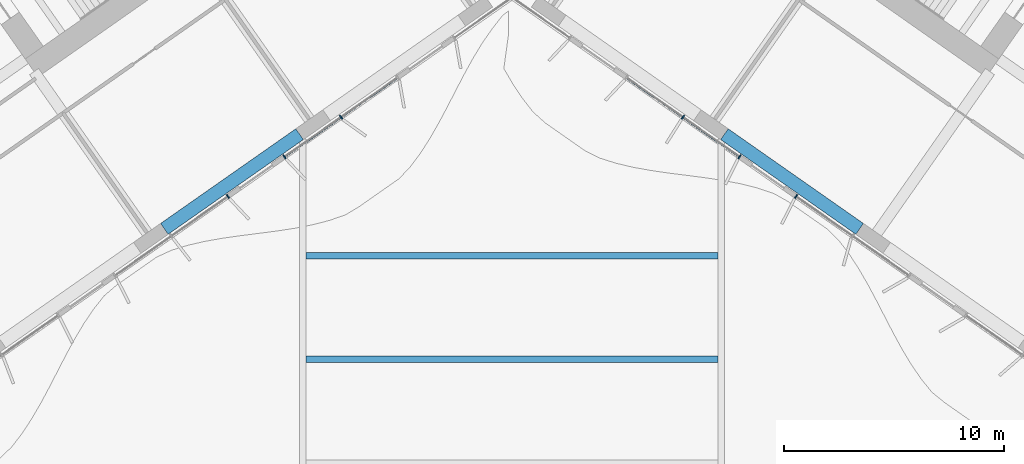
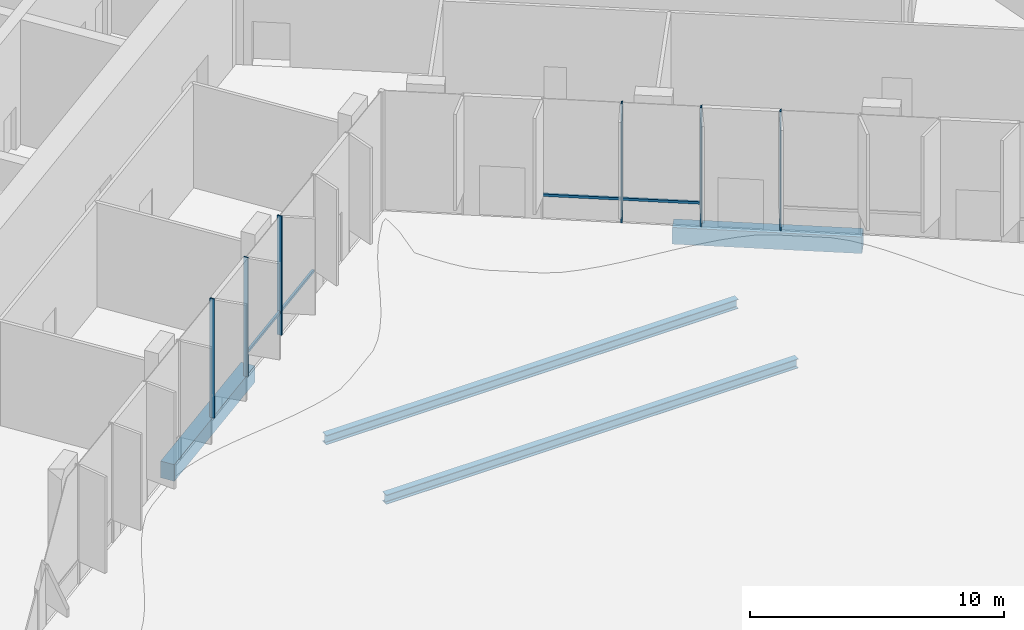
# One storey, part 5 of 27: 8 members, 4 beams, 5 elements without a shape of their own.
"""IFC4 building model written with IfcOpenShell, lengths in metres."""

from ifc_helpers import new_model, si_unit, direction, frame, origin, origin_2d, place, context, subcontext, project, spatial, rectangle, i_section, extrude, material, material_profile, profile_set, type_object, element, aggregate, save


model = new_model("IFC4")

# Units and contexts
model_context = context("Model", 3, precision=1e-05, world=origin(), true_north=direction((0.0, 1.0)))
body_context = subcontext(model_context, "Body", "Model", "MODEL_VIEW")
ifc_project = project(units=[si_unit("LENGTHUNIT", "METRE"), si_unit("AREAUNIT", "SQUARE_METRE"), si_unit("VOLUMEUNIT", "CUBIC_METRE"), si_unit("PLANEANGLEUNIT", "RADIAN"), si_unit("MASSUNIT", "GRAM", prefix="KILO")], contexts=[model_context])

# Site, building, storey
site_placement = place(None, origin())
site = spatial("IfcSite", under=ifc_project, at=site_placement, CompositionType="ELEMENT")
building_placement = place(site_placement, origin())
building = spatial("IfcBuilding", under=site, at=building_placement, Name="Tel Ilan Convention Tower", CompositionType="ELEMENT")
storey_placement = place(building_placement, frame((0.0, 0.0, 48.5)))
storey = spatial("IfcBuildingStorey", under=building, at=storey_placement, Name="L07", CompositionType="ELEMENT", Elevation=48.5)

# Beams
ifc_material_1 = material(Name="Concrete C40/50", Category="concrete")
ifc_material_profile_1 = material_profile(ifc_material_1, rectangle(XDim=0.60009765625, YDim=0.800048828125, at=origin_2d()), Name="RC 600x800")
ifc_profile_set_1 = profile_set([ifc_material_profile_1], Name="Concrete C40/50")
beam_type_1 = type_object("IfcBeamType", Name="Beam RC 600x800 Concrete C40/50", PredefinedType="BEAM", material=ifc_profile_set_1)
for number, where, z_axis, x_axis, name in (
    (1, (-9.652099609375, -18.905029296875, -0.679931640625), (-0.81915238829, -0.573575945067, 0.0), (0.573575945067, -0.81915238829, 0.0), "L07 beam W-W-F2-W-F3"),
    (2, (9.652099609375, -18.905029296875, -0.679931640625), (0.81915238829, -0.573575945067, 0.0), (0.573575945067, 0.81915238829, 0.0), "L07 beam E-E-F2-E-F3"),
):
    element("IfcBeam", number, at=place(storey_placement, frame(where, z_axis=z_axis, x_axis=x_axis)), inside=storey, type_object=beam_type_1, Name=name, PredefinedType="BEAM", context=body_context, shape_type="SweptSolid", body=[
        extrude(rectangle(XDim=0.60009765625, YDim=0.800048828125, at=origin_2d()), origin(), (0.0, 0.0, 1.0), 7.5),
    ])

# Curtain wall, member
ifc_material_2 = material(Name="Aluminium, bronze anodised", Category="aluminium")
curtain_wall_type = type_object("IfcCurtainWallType", Name="CW1 UNITISED CURTAIN WALL, HOTEL TINTED GLASS", PredefinedType="NOTDEFINED", material=ifc_material_2)
curtain_wall_1_placement = place(storey_placement, origin())
curtain_wall_1 = element("IfcCurtainWall", 3, at=curtain_wall_1_placement, inside=storey, type_object=curtain_wall_type, Name="Curtain wall CW1-10.04", PredefinedType="NOTDEFINED")
ifc_material_3 = material(Name="Aluminium, bronze anodised", Category="aluminium")
ifc_material_profile_2 = material_profile(ifc_material_3, rectangle(XDim=0.06005859375, YDim=0.199951171875, at=origin_2d()), Name="CW MULLION 60x200")
ifc_profile_set_2 = profile_set([ifc_material_profile_2], Name="Aluminium, bronze anodised")
member_type_1 = type_object("IfcMemberType", Name="CW MULLION 60x200", PredefinedType="MULLION", material=ifc_profile_set_2)
member_1_placement = place(storey_placement, frame((-12.906982421875, -21.733642578125, 0.0), z_axis=(0.0, 0.0, 1.0), x_axis=(0.819152044289, 0.573576436351, 0.0)))
member_1 = element("IfcMember", 4, at=member_1_placement, type_object=member_type_1, Name="Mullion", PredefinedType="MULLION", context=body_context, shape_type="SweptSolid", body=[
    extrude(rectangle(XDim=0.06005859375, YDim=0.199951171875, at=origin_2d()), origin(), (0.0, 0.0, 1.0), 5.719970703125),
])
aggregate(curtain_wall_1, [member_1])

curtain_wall_2_placement = place(storey_placement, origin())
curtain_wall_2 = element("IfcCurtainWall", 5, at=curtain_wall_2_placement, inside=storey, type_object=curtain_wall_type, Name="Curtain wall CW1-10.05", PredefinedType="NOTDEFINED")
member_2_placement = place(storey_placement, frame((-10.337158203125, -19.93408203125, 0.0), z_axis=(0.0, 0.0, 1.0), x_axis=(0.819152044289, 0.573576436351, 0.0)))
member_2 = element("IfcMember", 6, at=member_2_placement, type_object=member_type_1, Name="Mullion", PredefinedType="MULLION", context=body_context, shape_type="SweptSolid", body=[
    extrude(rectangle(XDim=0.06005859375, YDim=0.199951171875, at=origin_2d()), origin(), (0.0, 0.0, 1.0), 5.719970703125),
])
aggregate(curtain_wall_2, [member_2])

curtain_wall_3_placement = place(storey_placement, origin())
curtain_wall_3 = element("IfcCurtainWall", 7, at=curtain_wall_3_placement, inside=storey, type_object=curtain_wall_type, Name="Curtain wall CW1-10.06", PredefinedType="NOTDEFINED")
member_3_placement = place(storey_placement, frame((-7.76708984375, -18.134765625, 0.0), z_axis=(0.0, 0.0, 1.0), x_axis=(0.819152044289, 0.573576436351, 0.0)))
member_3 = element("IfcMember", 8, at=member_3_placement, type_object=member_type_1, Name="Mullion", PredefinedType="MULLION", context=body_context, shape_type="SweptSolid", body=[
    extrude(rectangle(XDim=0.06005859375, YDim=0.199951171875, at=origin_2d()), origin(), (0.0, 0.0, 1.0), 5.719970703125),
])

# Curtain wall, members
curtain_wall_4_placement = place(storey_placement, origin())
curtain_wall_4 = element("IfcCurtainWall", 9, at=curtain_wall_4_placement, inside=storey, type_object=curtain_wall_type, Name="Curtain wall CW1-10.10", PredefinedType="NOTDEFINED")
member_4_placement = place(storey_placement, frame((7.76708984375, -18.134765625, 0.0), z_axis=(0.0, 0.0, 1.0), x_axis=(0.819152044289, -0.573576436351, 0.0)))
member_4 = element("IfcMember", 10, at=member_4_placement, type_object=member_type_1, Name="Mullion", PredefinedType="MULLION", context=body_context, shape_type="SweptSolid", body=[
    extrude(rectangle(XDim=0.06005859375, YDim=0.199951171875, at=origin_2d()), origin(), (0.0, 0.0, 1.0), 5.719970703125),
])
member_5_placement = place(storey_placement, frame((10.337158203125, -19.93408203125, 0.0), z_axis=(0.0, 0.0, 1.0), x_axis=(0.819152044289, -0.573576436351, 0.0)))
member_5 = element("IfcMember", 11, at=member_5_placement, type_object=member_type_1, Name="Mullion", PredefinedType="MULLION", context=body_context, shape_type="SweptSolid", body=[
    extrude(rectangle(XDim=0.06005859375, YDim=0.199951171875, at=origin_2d()), origin(), (0.0, 0.0, 1.0), 5.719970703125),
])

# Curtain wall, member
curtain_wall_5_placement = place(storey_placement, origin())
curtain_wall_5 = element("IfcCurtainWall", 12, at=curtain_wall_5_placement, inside=storey, type_object=curtain_wall_type, Name="Curtain wall CW1-10.11", PredefinedType="NOTDEFINED")
member_6_placement = place(storey_placement, frame((12.906982421875, -21.733642578125, 0.0), z_axis=(0.0, 0.0, 1.0), x_axis=(0.819152044289, -0.573576436351, 0.0)))
member_6 = element("IfcMember", 13, at=member_6_placement, type_object=member_type_1, Name="Mullion", PredefinedType="MULLION", context=body_context, shape_type="SweptSolid", body=[
    extrude(rectangle(XDim=0.06005859375, YDim=0.199951171875, at=origin_2d()), origin(), (0.0, 0.0, 1.0), 5.719970703125),
])
aggregate(curtain_wall_5, [member_6])

# Member
ifc_material_4 = material(Name="Aluminium, bronze anodised", Category="aluminium")
ifc_material_profile_3 = material_profile(ifc_material_4, rectangle(XDim=0.10009765625, YDim=0.1201171875, at=origin_2d()), Name="CW TRANSOM 100x120")
ifc_profile_set_3 = profile_set([ifc_material_profile_3], Name="Aluminium, bronze anodised")
member_type_2 = type_object("IfcMemberType", Name="CW TRANSOM 100x120", PredefinedType="USERDEFINED", material=ifc_profile_set_3)
member_7_placement = place(storey_placement, frame((-10.3125, -19.9169921875, 1.10009765625), z_axis=(0.819134091282, 0.573602075048, 0.0), x_axis=(-0.573602075048, 0.819134091282, 0.0)))
member_7 = element("IfcMember", 14, at=member_7_placement, type_object=member_type_2, Name="Transom", ObjectType="TRANSOM", PredefinedType="USERDEFINED", context=body_context, shape_type="SweptSolid", body=[
    extrude(rectangle(XDim=0.10009765625, YDim=0.1201171875, at=origin_2d()), origin(), (0.0, 0.0, 1.0), 6.214599609375),
])

aggregate(curtain_wall_3, [member_3, member_7])

member_8_placement = place(storey_placement, frame((5.221923828125, -16.352294921875, 1.10009765625), z_axis=(0.819134091282, -0.573602075048, 0.0), x_axis=(0.573602075048, 0.819134091282, 0.0)))
member_8 = element("IfcMember", 15, at=member_8_placement, type_object=member_type_2, Name="Transom", ObjectType="TRANSOM", PredefinedType="USERDEFINED", context=body_context, shape_type="SweptSolid", body=[
    extrude(rectangle(XDim=0.10009765625, YDim=0.1201171875, at=origin_2d()), origin(), (0.0, 0.0, 1.0), 6.214599609375),
])

aggregate(curtain_wall_4, [member_4, member_5, member_8])

# Beams
ifc_material_5 = material(Name="Steel S355", Category="steel")
ifc_material_profile_4 = material_profile(ifc_material_5, i_section(OverallWidth=0.300048828125, OverallDepth=0.449951171875, WebThickness=0.013916015625, FlangeThickness=0.02587890625, FilletRadius=0.027099609375, at=origin_2d()), Name="HEB 450")
ifc_profile_set_4 = profile_set([ifc_material_profile_4], Name="Steel S355")
beam_type_2 = type_object("IfcBeamType", Name="Joist HEB 450 Steel S355", PredefinedType="JOIST", material=ifc_profile_set_4)
for number, where, z_axis, x_axis, name in (
    (16, (-9.360107421875, -29.135986328125, -0.625), (1.0, 0.0, 0.0), (0.0, 1.0, 0.0), "L07 beam JN1-4"),
    (17, (-9.360107421875, -24.419921875, -0.625), (1.0, 0.0, 0.0), (0.0, 1.0, 0.0), "L07 beam JN1-5"),
):
    element("IfcBeam", number, at=place(storey_placement, frame(where, z_axis=z_axis, x_axis=x_axis)), inside=storey, type_object=beam_type_2, Name=name, PredefinedType="JOIST", context=body_context, shape_type="SweptSolid", body=[
        extrude(i_section(OverallWidth=0.300048828125, OverallDepth=0.449951171875, WebThickness=0.013916015625, FlangeThickness=0.02587890625, FilletRadius=0.027099609375, at=origin_2d()), origin(), (0.0, 0.0, 1.0), 18.72021484375),
    ])

save(model, "model.ifc")
